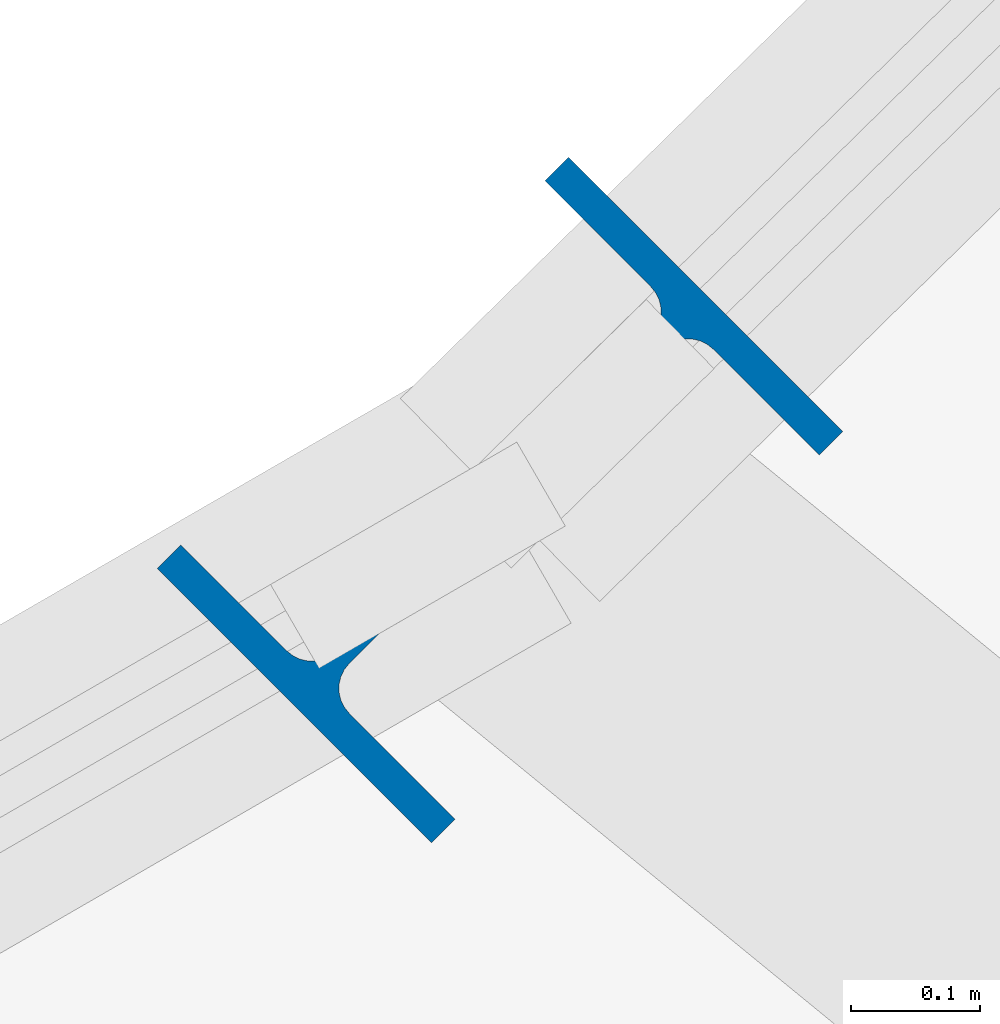
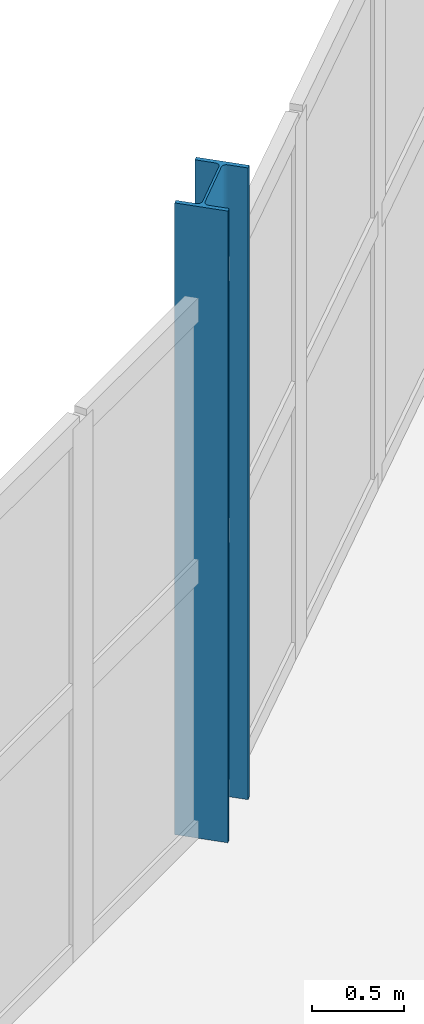
# One storey, part 14 of 161: 1 column.
"""IFC4 building model written with IfcOpenShell, lengths in metres."""

from ifc_helpers import new_model, si_unit, direction, frame, origin, origin_2d, place, context, subcontext, project, spatial, i_section, extrude, material, material_profile, profile_set, type_object, element, save


model = new_model("IFC4")

# Units and contexts
model_context = context("Model", 3, precision=1e-05, world=origin(), true_north=direction((0.0, 1.0)))
body_context = subcontext(model_context, "Body", "Model", "MODEL_VIEW")
ifc_project = project(units=[si_unit("LENGTHUNIT", "METRE"), si_unit("AREAUNIT", "SQUARE_METRE"), si_unit("VOLUMEUNIT", "CUBIC_METRE"), si_unit("PLANEANGLEUNIT", "RADIAN"), si_unit("MASSUNIT", "GRAM", prefix="KILO")], contexts=[model_context])

# Site, building, storey
site_placement = place(None, origin())
site = spatial("IfcSite", under=ifc_project, at=site_placement, CompositionType="ELEMENT")
building_placement = place(site_placement, origin())
building = spatial("IfcBuilding", under=site, at=building_placement, Name="Kildeholm Park Wholesale Market", CompositionType="ELEMENT")
storey_placement = place(building_placement, frame((0.0, 0.0, 5.39990234375)))
storey = spatial("IfcBuildingStorey", under=building, at=storey_placement, Name="L01", CompositionType="ELEMENT", Elevation=5.39990234375)

# Column
ifc_material = material(Name="Steel S355", Category="steel")
ifc_material_profile = material_profile(ifc_material, i_section(OverallWidth=0.300048828125, OverallDepth=0.449951171875, WebThickness=0.013916015625, FlangeThickness=0.02587890625, FilletRadius=0.027099609375, at=origin_2d()), Name="HEB 450")
ifc_profile_set = profile_set([ifc_material_profile], Name="Steel S355")
column_type = type_object("IfcColumnType", Name="Column C-S06 HEB 450", PredefinedType="COLUMN", material=ifc_profile_set)
column_placement = place(storey_placement, frame((124.80908203125, 70.054931640625, 0.0), z_axis=(0.0, 0.0, 1.0), x_axis=(0.707106781187, -0.707106781187, 0.0)))
element("IfcColumn", 1, at=column_placement, inside=storey, type_object=column_type, Name="Column V1-IN-21 L01 COL-0191", PredefinedType="COLUMN", context=body_context, shape_type="SweptSolid", body=[
    extrude(i_section(OverallWidth=0.300048828125, OverallDepth=0.449951171875, WebThickness=0.013916015625, FlangeThickness=0.02587890625, FilletRadius=0.027099609375, at=origin_2d()), origin(), (0.0, 0.0, 1.0), 4.2001953125),
])

save(model, "model.ifc")
